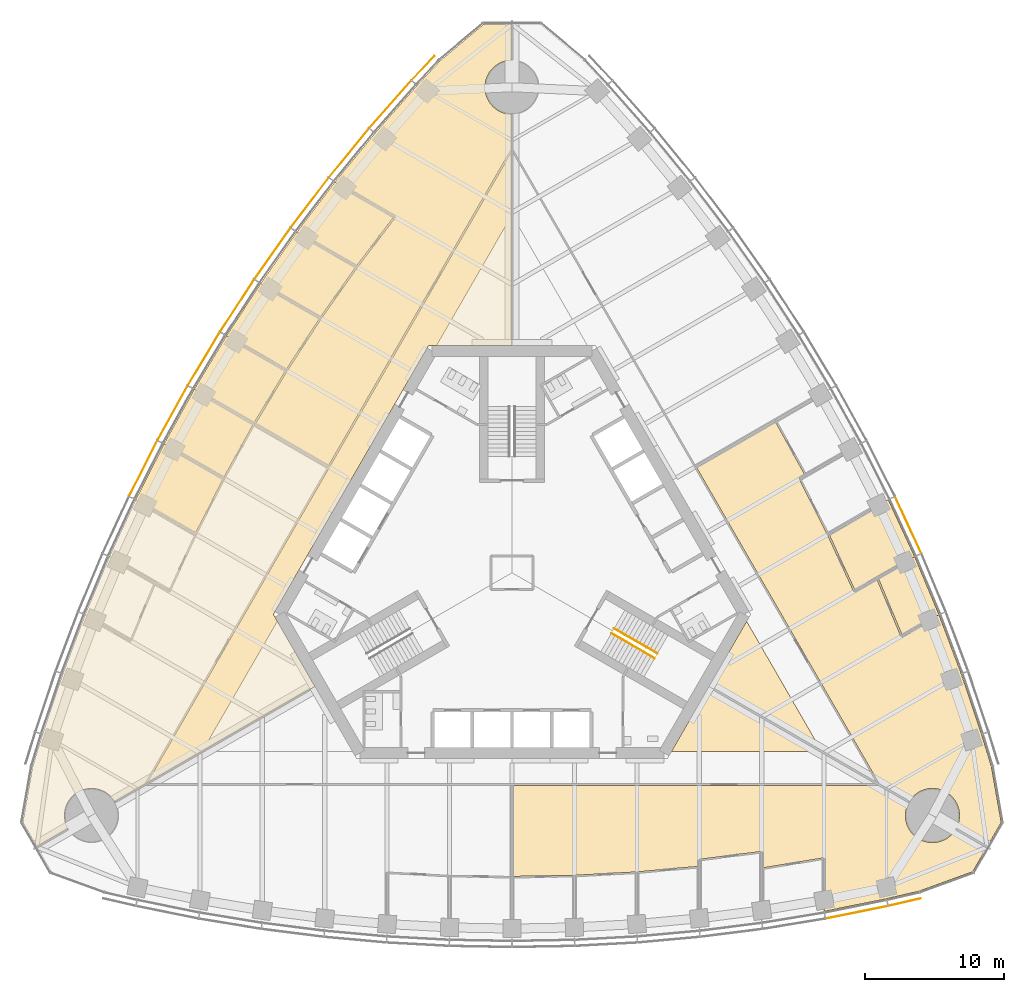
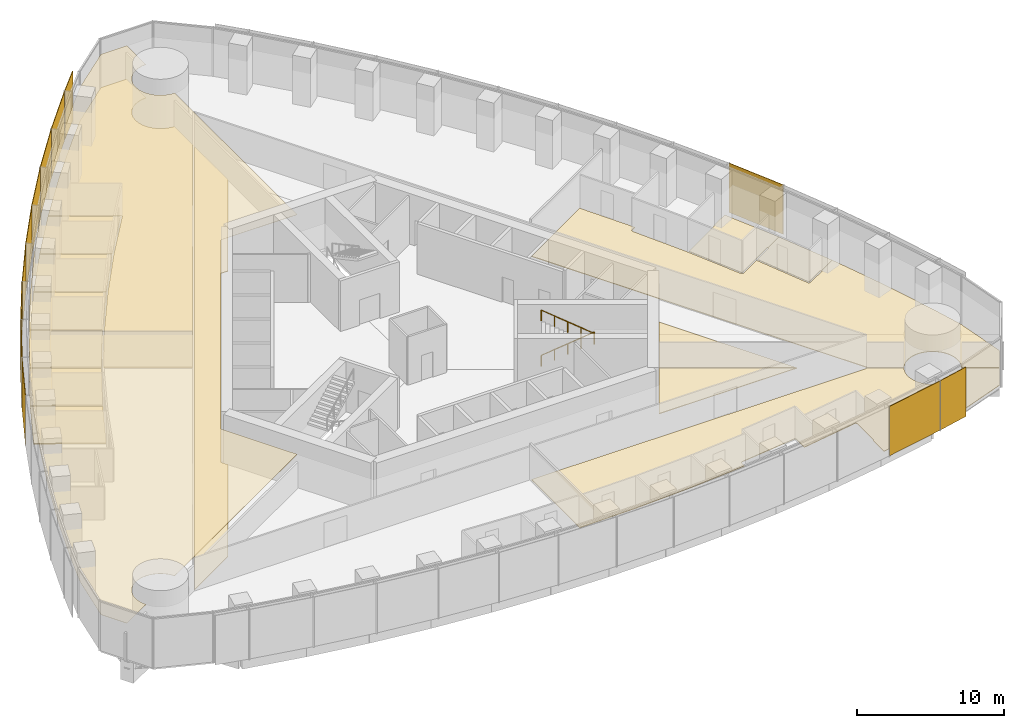
# One storey, part 16 of 19: 15 coverings, 12 shading devices, 2 railings.
"""IFC4 building model written with IfcOpenShell, lengths in metres."""

from ifc_helpers import new_model, si_unit, direction, frame, origin, origin_2d, place, context, subcontext, project, spatial, polyline, rectangle, circle, outline, extrude, material, layer, layer_set, type_object, element, save


model = new_model("IFC4")

# Units and contexts
model_context = context("Model", 3, precision=1e-05, world=origin(), true_north=direction((0.0, 1.0)))
body_context = subcontext(model_context, "Body", "Model", "MODEL_VIEW")
ifc_project = project(units=[si_unit("LENGTHUNIT", "METRE"), si_unit("AREAUNIT", "SQUARE_METRE"), si_unit("VOLUMEUNIT", "CUBIC_METRE"), si_unit("PLANEANGLEUNIT", "RADIAN"), si_unit("MASSUNIT", "GRAM", prefix="KILO")], contexts=[model_context])

# Site, building, storey
site_placement = place(None, origin())
site = spatial("IfcSite", under=ifc_project, at=site_placement, CompositionType="ELEMENT")
building_placement = place(site_placement, origin())
building = spatial("IfcBuilding", under=site, at=building_placement, Name="Trefoil Bronze Tower", CompositionType="ELEMENT")
storey_placement = place(building_placement, frame((0.0, 0.0, 132.5)))
storey = spatial("IfcBuildingStorey", under=building, at=storey_placement, Name="L30", CompositionType="ELEMENT", Elevation=132.5)

# Shading devices
ifc_material_1 = material(Name="Perforated bronze sheet", Category="bronze")
ifc_layer_1 = layer(ifc_material_1, 0.0400390625)
ifc_layer_set_1 = layer_set([ifc_layer_1], Name="Bronze solar screen panel")
shading_device_type = type_object("IfcShadingDeviceType", Name="Bronze solar screen panel", PredefinedType="SHUTTER", material=ifc_layer_set_1)
shading_device_1_placement = place(storey_placement, frame((24.85693359375, -24.480224609375, 0.050048828125), z_axis=(0.0, 0.0, 1.0), x_axis=(0.980155155547, 0.198231861853, 0.0)))
element("IfcShadingDevice", 1, at=shading_device_1_placement, inside=storey, type_object=shading_device_type, Name="Solar screen CW-A L30 F1 bay 13", PredefinedType="SHUTTER", context=body_context, shape_type="SweptSolid", body=[
    extrude(rectangle(XDim=4.56103515625, YDim=0.0400390625, at=origin_2d()), origin(), (0.0, 0.0, 1.0), 4.10009765625),
])
shading_device_2_placement = place(storey_placement, frame((28.30078125, -23.748779296875, 0.050048828125), z_axis=(0.0, 0.0, 1.0), x_axis=(0.97420444715, 0.225667222151, 0.0)))
element("IfcShadingDevice", 2, at=shading_device_2_placement, inside=storey, type_object=shading_device_type, Name="Solar screen CW-A L30 F1 bay 14", PredefinedType="SHUTTER", context=body_context, shape_type="SweptSolid", body=[
    extrude(rectangle(XDim=2.39013671875, YDim=0.0400390625, at=origin_2d()), origin(), (0.0, 0.0, 1.0), 4.10009765625),
])
shading_device_3_placement = place(storey_placement, frame((28.563720703125, 3.444580078125, 0.050048828125), z_axis=(0.0, 0.0, 1.0), x_axis=(-0.419932995871, 0.907555110712, 0.0)))
element("IfcShadingDevice", 3, at=shading_device_3_placement, inside=storey, type_object=shading_device_type, Name="Solar screen CW-A L30 F2 bay 5", PredefinedType="SHUTTER", context=body_context, shape_type="SweptSolid", body=[
    extrude(rectangle(XDim=4.48828125, YDim=0.0400390625, at=origin_2d()), origin(), (0.0, 0.0, 1.0), 4.10009765625),
])
shading_device_4_placement = place(storey_placement, frame((-6.416748046875, 36.383544921875, 0.050048828125), z_axis=(0.0, 0.0, 1.0), x_axis=(-0.682535770759, -0.730852188636, 0.0)))
element("IfcShadingDevice", 4, at=shading_device_4_placement, inside=storey, type_object=shading_device_type, Name="Solar screen CW-A L30 F3 bay 1", PredefinedType="SHUTTER", context=body_context, shape_type="SweptSolid", body=[
    extrude(rectangle(XDim=2.39013671875, YDim=0.0400390625, at=origin_2d()), origin(), (0.0, 0.0, 1.0), 4.10009765625),
])
shading_device_5_placement = place(storey_placement, frame((-8.77197265625, 33.766845703125, 0.050048828125), z_axis=(0.0, 0.0, 1.0), x_axis=(-0.661751405978, -0.749723333428, 0.0)))
element("IfcShadingDevice", 5, at=shading_device_5_placement, inside=storey, type_object=shading_device_type, Name="Solar screen CW-A L30 F3 bay 2", PredefinedType="SHUTTER", context=body_context, shape_type="SweptSolid", body=[
    extrude(rectangle(XDim=4.56103515625, YDim=0.0400390625, at=origin_2d()), origin(), (0.0, 0.0, 1.0), 4.10009765625),
])
shading_device_6_placement = place(storey_placement, frame((-11.7490234375, 30.26708984375, 0.050048828125), z_axis=(0.0, 0.0, 1.0), x_axis=(-0.633839916024, -0.773464259584, 0.0)))
element("IfcShadingDevice", 6, at=shading_device_6_placement, inside=storey, type_object=shading_device_type, Name="Solar screen CW-A L30 F3 bay 3", PredefinedType="SHUTTER", context=body_context, shape_type="SweptSolid", body=[
    extrude(rectangle(XDim=4.5302734375, YDim=0.0400390625, at=origin_2d()), origin(), (0.0, 0.0, 1.0), 4.10009765625),
])
shading_device_7_placement = place(storey_placement, frame((-14.579345703125, 26.6826171875, 0.050048828125), z_axis=(0.0, 0.0, 1.0), x_axis=(-0.605252319983, -0.796033685943, 0.0)))
element("IfcShadingDevice", 7, at=shading_device_7_placement, inside=storey, type_object=shading_device_type, Name="Solar screen CW-A L30 F3 bay 4", PredefinedType="SHUTTER", context=body_context, shape_type="SweptSolid", body=[
    extrude(rectangle(XDim=4.50634765625, YDim=0.0400390625, at=origin_2d()), origin(), (0.0, 0.0, 1.0), 4.10009765625),
])
shading_device_8_placement = place(storey_placement, frame((-17.264892578125, 23.014404296875, 0.050048828125), z_axis=(0.0, 0.0, 1.0), x_axis=(-0.575999283275, -0.817450197667, 0.0)))
element("IfcShadingDevice", 8, at=shading_device_8_placement, inside=storey, type_object=shading_device_type, Name="Solar screen CW-A L30 F3 bay 5", PredefinedType="SHUTTER", context=body_context, shape_type="SweptSolid", body=[
    extrude(rectangle(XDim=4.48828125, YDim=0.0400390625, at=origin_2d()), origin(), (0.0, 0.0, 1.0), 4.10009765625),
])
shading_device_9_placement = place(storey_placement, frame((-19.8076171875, 19.263916015625, 0.050048828125), z_axis=(0.0, 0.0, 1.0), x_axis=(-0.546088612237, -0.837727418427, 0.0)))
element("IfcShadingDevice", 9, at=shading_device_9_placement, inside=storey, type_object=shading_device_type, Name="Solar screen CW-A L30 F3 bay 6", PredefinedType="SHUTTER", context=body_context, shape_type="SweptSolid", body=[
    extrude(rectangle(XDim=4.4765625, YDim=0.0400390625, at=origin_2d()), origin(), (0.0, 0.0, 1.0), 4.10009765625),
])
for number, where, z_axis, x_axis, name in (
    (10, (-22.208740234375, 15.431396484375, 0.050048828125), (0.0, 0.0, 1.0), (-0.515525413486, -0.856874289526, 0.0), "Solar screen CW-A L30 F3 bay 7"),
    (11, (-24.468505859375, 11.517578125, 0.050048828125), (0.0, 0.0, 1.0), (-0.484312195836, -0.874895249138, 0.0), "Solar screen CW-A L30 F3 bay 8"),
):
    element("IfcShadingDevice", number, at=place(storey_placement, frame(where, z_axis=z_axis, x_axis=x_axis)), inside=storey, type_object=shading_device_type, Name=name, PredefinedType="SHUTTER", context=body_context, shape_type="SweptSolid", body=[
        extrude(rectangle(XDim=4.470703125, YDim=0.0400390625, at=origin_2d()), origin(), (0.0, 0.0, 1.0), 4.10009765625),
    ])
shading_device_10_placement = place(storey_placement, frame((-26.5869140625, 7.52197265625, 0.050048828125), z_axis=(0.0, 0.0, 1.0), x_axis=(-0.452448919686, -0.891790320128, 0.0)))
element("IfcShadingDevice", 12, at=shading_device_10_placement, inside=storey, type_object=shading_device_type, Name="Solar screen CW-A L30 F3 bay 9", PredefinedType="SHUTTER", context=body_context, shape_type="SweptSolid", body=[
    extrude(rectangle(XDim=4.4765625, YDim=0.0400390625, at=origin_2d()), origin(), (0.0, 0.0, 1.0), 4.10009765625),
])

# Railings
ifc_material_2 = material(Name="Steel handrail", Category="steel")
railing_type = type_object("IfcRailingType", Name="Handrail 900", PredefinedType="HANDRAIL", material=ifc_material_2)
railing_1_placement = place(storey_placement, frame((7.365966796875, -4.021728515625, 0.16162109375)))
element("IfcRailing", 13, at=railing_1_placement, inside=storey, type_object=railing_type, Name="Handrail ST1 flight 1 L30", PredefinedType="HANDRAIL", context=body_context, shape_type="SweptSolid", body=[
    extrude(circle(Radius=0.02392578125, at=origin_2d()), frame((0.0, 0.0, 0.8759765625), z_axis=(0.76250339821, -0.440245697338, 0.474101564745), x_axis=(0.500012057535, 0.866018442252, 0.0)), (0.0, 0.0, 1.0), 4.088623046875),
    extrude(circle(Radius=0.02099609375, at=origin_2d()), origin(), (0.0, 0.0, 1.0), 0.851806640625),
    extrude(circle(Radius=0.02099609375, at=origin_2d()), frame((0.779296875, -0.449951171875, 0.484619140625)), (0.0, 0.0, 1.0), 0.851806640625),
    extrude(circle(Radius=0.02099609375, at=origin_2d()), frame((1.558837890625, -0.89990234375, 0.96923828125)), (0.0, 0.0, 1.0), 0.851806640625),
    extrude(circle(Radius=0.02099609375, at=origin_2d()), frame((2.33837890625, -1.35009765625, 1.453857421875)), (0.0, 0.0, 1.0), 0.851806640625),
    extrude(circle(Radius=0.02099609375, at=origin_2d()), frame((3.11767578125, -1.800048828125, 1.9384765625)), (0.0, 0.0, 1.0), 0.851806640625),
])
railing_2_placement = place(storey_placement, frame((10.28369140625, -6.168212890625, 2.261474609375)))
element("IfcRailing", 14, at=railing_2_placement, inside=storey, type_object=railing_type, Name="Handrail ST1 flight 2 L30", PredefinedType="HANDRAIL", context=body_context, shape_type="SweptSolid", body=[
    extrude(circle(Radius=0.02392578125, at=origin_2d()), frame((0.0, 0.0, 0.8759765625), z_axis=(-0.76250339821, 0.440245697338, 0.474101564745), x_axis=(-0.500012057535, -0.866018442252, 0.0)), (0.0, 0.0, 1.0), 4.088623046875),
    extrude(circle(Radius=0.02099609375, at=origin_2d()), origin(), (0.0, 0.0, 1.0), 0.851806640625),
    extrude(circle(Radius=0.02099609375, at=origin_2d()), frame((-0.779296875, 0.449951171875, 0.484619140625)), (0.0, 0.0, 1.0), 0.851806640625),
    extrude(circle(Radius=0.02099609375, at=origin_2d()), frame((-1.558837890625, 0.89990234375, 0.96923828125)), (0.0, 0.0, 1.0), 0.851806640625),
    extrude(circle(Radius=0.02099609375, at=origin_2d()), frame((-2.33837890625, 1.35009765625, 1.453857421875)), (0.0, 0.0, 1.0), 0.851806640625),
    extrude(circle(Radius=0.02099609375, at=origin_2d()), frame((-3.11767578125, 1.800048828125, 1.9384765625)), (0.0, 0.0, 1.0), 0.851806640625),
])

# Coverings
ifc_material_3 = material(Name="Acoustic ceiling panels", Category="mineral fibre")
ifc_layer_2 = layer(ifc_material_3, 0.02001953125)
ifc_layer_set_2 = layer_set([ifc_layer_2], Name="Office ceiling 20")
covering_type_1 = type_object("IfcCoveringType", Name="Office ceiling 20", PredefinedType="CEILING", material=ifc_layer_set_2)
covering_1_placement = place(storey_placement, frame((0.0, 0.0, 2.89990234375)))
element("IfcCovering", 15, at=covering_1_placement, inside=storey, type_object=covering_type_1, Name="Ceiling L30 Open-plan office F3", PredefinedType="CEILING", context=body_context, shape_type="SweptSolid", body=[
    extrude(outline(polyline([(-33.847900390625, -11.634765625), (-32.385986328125, -7.28271484375), (-30.776611328125, -3.015625), (-29.022216796875, 1.16748046875), (-27.124755859375, 5.268310546875), (-25.085693359375, 9.287109375), (-22.906005859375, 13.224853515625), (-20.585693359375, 17.081298828125), (-18.124755859375, 20.856689453125), (-15.522216796875, 24.55029296875), (-12.776611328125, 28.1611328125), (-9.885986328125, 31.6884765625), (-6.847900390625, 35.130615234375), (-5.1962890625, 36.8994140625), (-2.052001953125, 39.53759765625), (-0.014892578125, 39.53759765625), (-0.013916015625, 36.94970703125), (-0.095703125, 36.94775390625), (-0.191162109375, 36.940673828125), (-0.2861328125, 36.928955078125), (-0.38037109375, 36.91259765625), (-0.473876953125, 36.8916015625), (-0.566162109375, 36.865966796875), (-0.656982421875, 36.8359375), (-0.74609375, 36.801513671875), (-0.833740234375, 36.7626953125), (-0.919189453125, 36.7197265625), (-1.00244140625, 36.672607421875), (-1.08349609375, 36.621337890625), (-1.16162109375, 36.56640625), (-1.237060546875, 36.50732421875), (-1.3095703125, 36.44482421875), (-1.37890625, 36.37890625), (-1.44482421875, 36.3095703125), (-1.50732421875, 36.237060546875), (-1.56640625, 36.16162109375), (-1.621337890625, 36.08349609375), (-1.672607421875, 36.00244140625), (-1.7197265625, 35.919189453125), (-1.7626953125, 35.833740234375), (-1.801513671875, 35.74609375), (-1.8359375, 35.656982421875), (-1.865966796875, 35.566162109375), (-1.8916015625, 35.473876953125), (-1.91259765625, 35.38037109375), (-1.928955078125, 35.2861328125), (-1.940673828125, 35.191162109375), (-1.94775390625, 35.095703125), (-1.949951171875, 35.0), (-1.94775390625, 34.904296875), (-1.940673828125, 34.808837890625), (-1.928955078125, 34.7138671875), (-1.91259765625, 34.61962890625), (-1.8916015625, 34.526123046875), (-1.865966796875, 34.433837890625), (-1.8359375, 34.343017578125), (-1.801513671875, 34.25390625), (-1.7626953125, 34.166259765625), (-1.7197265625, 34.080810546875), (-1.672607421875, 33.99755859375), (-1.621337890625, 33.91650390625), (-1.56640625, 33.83837890625), (-1.50732421875, 33.762939453125), (-1.44482421875, 33.6904296875), (-1.37890625, 33.62109375), (-1.3095703125, 33.55517578125), (-1.237060546875, 33.49267578125), (-1.16162109375, 33.43359375), (-1.08349609375, 33.378662109375), (-1.00244140625, 33.327392578125), (-0.919189453125, 33.2802734375), (-0.833740234375, 33.2373046875), (-0.74609375, 33.198486328125), (-0.656982421875, 33.1640625), (-0.566162109375, 33.134033203125), (-0.473876953125, 33.1083984375), (-0.38037109375, 33.08740234375), (-0.2861328125, 33.071044921875), (-0.191162109375, 33.059326171875), (-0.095703125, 33.05224609375), (-0.012451171875, 33.05029296875), (-0.006103515625, 16.39990234375), (-6.00439453125, 16.39990234375), (-17.205078125, -3.0), (-14.205810546875, -8.194580078125), (-28.628662109375, -16.514404296875), (-28.689453125, -16.41650390625), (-28.74462890625, -16.33837890625), (-28.803466796875, -16.262939453125), (-28.865966796875, -16.1904296875), (-28.931884765625, -16.12109375), (-29.001220703125, -16.05517578125), (-29.07373046875, -15.99267578125), (-29.1494140625, -15.93359375), (-29.2275390625, -15.878662109375), (-29.308349609375, -15.827392578125), (-29.3916015625, -15.7802734375), (-29.477294921875, -15.7373046875), (-29.564697265625, -15.698486328125), (-29.654052734375, -15.6640625), (-29.744873046875, -15.634033203125), (-29.837158203125, -15.6083984375), (-29.930419921875, -15.58740234375), (-30.02490234375, -15.571044921875), (-30.119873046875, -15.559326171875), (-30.215087890625, -15.55224609375), (-30.310791015625, -15.550048828125), (-30.406494140625, -15.55224609375), (-30.501953125, -15.559326171875), (-30.596923828125, -15.571044921875), (-30.69140625, -15.58740234375), (-30.78466796875, -15.6083984375), (-30.876953125, -15.634033203125), (-30.9677734375, -15.6640625), (-31.05712890625, -15.698486328125), (-31.14453125, -15.7373046875), (-31.22998046875, -15.7802734375), (-31.3134765625, -15.827392578125), (-31.394287109375, -15.878662109375), (-31.472412109375, -15.93359375), (-31.548095703125, -15.99267578125), (-31.620361328125, -16.05517578125), (-31.689697265625, -16.12109375), (-31.755615234375, -16.1904296875), (-31.818359375, -16.262939453125), (-31.877197265625, -16.33837890625), (-31.932373046875, -16.41650390625), (-31.9833984375, -16.49755859375), (-32.030517578125, -16.580810546875), (-32.07373046875, -16.666259765625), (-32.112548828125, -16.75390625), (-32.14697265625, -16.843017578125), (-32.177001953125, -16.933837890625), (-32.202392578125, -17.026123046875), (-32.223388671875, -17.11962890625), (-32.23974609375, -17.2138671875), (-32.25146484375, -17.308837890625), (-32.258544921875, -17.404296875), (-32.260986328125, -17.5), (-32.258544921875, -17.595703125), (-32.25146484375, -17.691162109375), (-32.23974609375, -17.7861328125), (-32.223388671875, -17.88037109375), (-32.202392578125, -17.973876953125), (-32.177001953125, -18.066162109375), (-32.14697265625, -18.156982421875), (-32.112548828125, -18.24609375), (-32.07373046875, -18.333740234375), (-32.030517578125, -18.419189453125), (-32.006103515625, -18.462646484375), (-34.247802734375, -19.755859375), (-35.2666015625, -17.99169921875), (-34.5537109375, -13.94970703125), (-33.847900390625, -11.634765625)])), origin(), (0.0, 0.0, 1.0), 0.02001953125),
])
ifc_material_4 = material(Name="Raised access floor panels", Category="steel")
ifc_layer_3 = layer(ifc_material_4, 0.050048828125)
ifc_layer_set_3 = layer_set([ifc_layer_3], Name="Raised access floor 150")
covering_type_2 = type_object("IfcCoveringType", Name="Raised access floor 150", PredefinedType="FLOORING", material=ifc_layer_set_3)
covering_2_placement = place(storey_placement, frame((0.0, 0.0, 0.10009765625)))
element("IfcCovering", 16, at=covering_2_placement, inside=storey, type_object=covering_type_2, Name="Raised floor L30 Open-plan office F1", PredefinedType="FLOORING", context=body_context, shape_type="SweptSolid", body=[
    extrude(outline(polyline([(22.5, -22.9013671875), (22.56005859375, -22.9013671875), (22.56005859375, -20.60595703125), (22.5, -20.60595703125), (22.490234375, -20.546630859375), (18.06005859375, -21.27490234375), (18.06005859375, -20.1455078125), (18.0, -20.1455078125), (17.992431640625, -20.0859375), (13.492431640625, -20.658203125), (13.5, -20.7177734375), (13.43994140625, -20.7177734375), (13.43994140625, -21.1630859375), (8.99560546875, -21.565185546875), (4.497802734375, -21.80859375), (0.074951171875, -21.88818359375), (0.074951171875, -15.320068359375), (26.398193359375, -15.320068359375), (26.398193359375, -15.254150390625), (28.616455078125, -16.535888671875), (28.591064453125, -16.580810546875), (28.548095703125, -16.666259765625), (28.50927734375, -16.75390625), (28.474853515625, -16.843017578125), (28.44482421875, -16.933837890625), (28.419189453125, -17.026123046875), (28.3984375, -17.11962890625), (28.382080078125, -17.2138671875), (28.370361328125, -17.308837890625), (28.36328125, -17.404296875), (28.36083984375, -17.5), (28.36328125, -17.595703125), (28.370361328125, -17.691162109375), (28.382080078125, -17.7861328125), (28.3984375, -17.88037109375), (28.419189453125, -17.973876953125), (28.44482421875, -18.066162109375), (28.474853515625, -18.156982421875), (28.50927734375, -18.24609375), (28.548095703125, -18.333740234375), (28.591064453125, -18.419189453125), (28.63818359375, -18.50244140625), (28.689453125, -18.58349609375), (28.74462890625, -18.66162109375), (28.803466796875, -18.737060546875), (28.865966796875, -18.8095703125), (28.931884765625, -18.87890625), (29.001220703125, -18.94482421875), (29.07373046875, -19.00732421875), (29.1494140625, -19.06640625), (29.2275390625, -19.121337890625), (29.308349609375, -19.172607421875), (29.3916015625, -19.2197265625), (29.477294921875, -19.2626953125), (29.564697265625, -19.301513671875), (29.654052734375, -19.3359375), (29.744873046875, -19.365966796875), (29.837158203125, -19.3916015625), (29.930419921875, -19.41259765625), (30.02490234375, -19.428955078125), (30.119873046875, -19.440673828125), (30.215087890625, -19.44775390625), (30.310791015625, -19.449951171875), (30.406494140625, -19.44775390625), (30.501953125, -19.440673828125), (30.596923828125, -19.428955078125), (30.69140625, -19.41259765625), (30.78466796875, -19.3916015625), (30.876953125, -19.365966796875), (30.9677734375, -19.3359375), (31.05712890625, -19.301513671875), (31.14453125, -19.2626953125), (31.22998046875, -19.2197265625), (31.3134765625, -19.172607421875), (31.394287109375, -19.121337890625), (31.472412109375, -19.06640625), (31.548095703125, -19.00732421875), (31.620361328125, -18.94482421875), (31.689697265625, -18.87890625), (31.755615234375, -18.8095703125), (31.818359375, -18.737060546875), (31.877197265625, -18.66162109375), (31.932373046875, -18.58349609375), (31.992431640625, -18.48681640625), (34.233154296875, -19.781494140625), (33.21435546875, -21.5458984375), (29.357666015625, -22.94970703125), (27.0, -23.495849609375), (22.5, -24.406005859375), (22.5, -22.9013671875)])), origin(), (0.0, 0.0, 1.0), 0.0498046875),
])
covering_3_placement = place(storey_placement, frame((0.0, 0.0, 0.10009765625)))
element("IfcCovering", 17, at=covering_3_placement, inside=storey, type_object=covering_type_2, Name="Raised floor L30 Open-plan office F1", PredefinedType="FLOORING", context=body_context, shape_type="SweptSolid", body=[
    extrude(outline(polyline([(11.4892578125, -12.89990234375), (14.19970703125, -8.205322265625), (22.32421875, -12.89990234375), (11.4892578125, -12.89990234375)])), origin(), (0.0, 0.0, 1.0), 0.0498046875),
])
covering_4_placement = place(storey_placement, frame((0.0, 0.0, 0.10009765625)))
element("IfcCovering", 18, at=covering_4_placement, inside=storey, type_object=covering_type_2, Name="Raised floor L30 Meeting room F2", PredefinedType="FLOORING", context=body_context, shape_type="SweptSolid", body=[
    extrude(outline(polyline([(27.124755859375, 5.268310546875), (29.022216796875, 1.16748046875), (27.73291015625, 0.423095703125), (27.702880859375, 0.47509765625), (24.718994140625, -1.24755859375), (22.872314453125, 2.74365234375), (25.869873046875, 4.474365234375), (25.83984375, 4.5263671875), (27.124755859375, 5.268310546875)])), origin(), (0.0, 0.0, 1.0), 0.0498046875),
])
covering_5_placement = place(storey_placement, frame((0.0, 0.0, 0.10009765625)))
element("IfcCovering", 19, at=covering_5_placement, inside=storey, type_object=covering_type_2, Name="Raised floor L30 Print and store room F2", PredefinedType="FLOORING", context=body_context, shape_type="SweptSolid", body=[
    extrude(outline(polyline([(29.022216796875, 1.16748046875), (30.776611328125, -3.015625), (29.4814453125, -3.763427734375), (29.451416015625, -3.71142578125), (28.12109375, -4.479736328125), (26.413330078125, -0.407958984375), (27.762939453125, 0.371337890625), (27.73291015625, 0.423095703125), (29.022216796875, 1.16748046875)])), origin(), (0.0, 0.0, 1.0), 0.0498046875),
])
covering_6_placement = place(storey_placement, frame((0.0, 0.0, 0.10009765625)))
element("IfcCovering", 20, at=covering_6_placement, inside=storey, type_object=covering_type_2, Name="Raised floor L30 Open-plan office F2", PredefinedType="FLOORING", context=body_context, shape_type="SweptSolid", body=[
    extrude(outline(polyline([(14.205810546875, -8.194580078125), (16.91650390625, -3.5), (22.333740234375, -12.88330078125), (14.205810546875, -8.194580078125)])), origin(), (0.0, 0.0, 1.0), 0.0498046875),
])
covering_7_placement = place(storey_placement, frame((0.0, 0.0, 0.10009765625)))
element("IfcCovering", 21, at=covering_7_placement, inside=storey, type_object=covering_type_2, Name="Raised floor L30 Open-plan office F2", PredefinedType="FLOORING", context=body_context, shape_type="SweptSolid", body=[
    extrude(outline(polyline([(26.40966796875, -15.234375), (26.466552734375, -15.201416015625), (13.304931640625, 7.594970703125), (18.993408203125, 10.879150390625), (21.107666015625, 7.059814453125), (20.7255859375, 6.839111328125), (20.755615234375, 6.787109375), (20.7021484375, 6.760009765625), (22.74072265625, 2.7421875), (24.6376953125, -1.357666015625), (24.692138671875, -1.33251953125), (24.72216796875, -1.384521484375), (26.30859375, -0.468505859375), (28.03662109375, -4.5888671875), (28.092041015625, -4.565673828125), (28.1220703125, -4.61767578125), (29.511474609375, -3.8154296875), (29.4814453125, -3.763427734375), (30.776611328125, -3.015625), (32.385986328125, -7.28271484375), (33.847900390625, -11.634765625), (34.5537109375, -13.94970703125), (35.2666015625, -17.99169921875), (34.247802734375, -19.755859375), (32.006103515625, -18.462646484375), (32.030517578125, -18.419189453125), (32.07373046875, -18.333740234375), (32.112548828125, -18.24609375), (32.14697265625, -18.156982421875), (32.177001953125, -18.066162109375), (32.202392578125, -17.973876953125), (32.223388671875, -17.88037109375), (32.23974609375, -17.7861328125), (32.25146484375, -17.691162109375), (32.258544921875, -17.595703125), (32.260986328125, -17.5), (32.258544921875, -17.404296875), (32.25146484375, -17.308837890625), (32.23974609375, -17.2138671875), (32.223388671875, -17.11962890625), (32.202392578125, -17.026123046875), (32.177001953125, -16.933837890625), (32.14697265625, -16.843017578125), (32.112548828125, -16.75390625), (32.07373046875, -16.666259765625), (32.030517578125, -16.580810546875), (31.9833984375, -16.49755859375), (31.932373046875, -16.41650390625), (31.877197265625, -16.33837890625), (31.818359375, -16.262939453125), (31.755615234375, -16.1904296875), (31.689697265625, -16.12109375), (31.620361328125, -16.05517578125), (31.548095703125, -15.99267578125), (31.472412109375, -15.93359375), (31.394287109375, -15.878662109375), (31.3134765625, -15.827392578125), (31.22998046875, -15.7802734375), (31.14453125, -15.7373046875), (31.05712890625, -15.698486328125), (30.9677734375, -15.6640625), (30.876953125, -15.634033203125), (30.78466796875, -15.6083984375), (30.69140625, -15.58740234375), (30.596923828125, -15.571044921875), (30.501953125, -15.559326171875), (30.406494140625, -15.55224609375), (30.310791015625, -15.550048828125), (30.215087890625, -15.55224609375), (30.119873046875, -15.559326171875), (30.02490234375, -15.571044921875), (29.930419921875, -15.58740234375), (29.837158203125, -15.6083984375), (29.744873046875, -15.634033203125), (29.654052734375, -15.6640625), (29.564697265625, -15.698486328125), (29.477294921875, -15.7373046875), (29.3916015625, -15.7802734375), (29.308349609375, -15.827392578125), (29.2275390625, -15.878662109375), (29.1494140625, -15.93359375), (29.07373046875, -15.99267578125), (29.001220703125, -16.05517578125), (28.931884765625, -16.12109375), (28.865966796875, -16.1904296875), (28.803466796875, -16.262939453125), (28.74462890625, -16.33837890625), (28.689453125, -16.41650390625), (28.628662109375, -16.514404296875), (26.40966796875, -15.234375)])), origin(), (0.0, 0.0, 1.0), 0.0498046875),
])
covering_8_placement = place(storey_placement, frame((0.0, 0.0, 0.10009765625)))
element("IfcCovering", 22, at=covering_8_placement, inside=storey, type_object=covering_type_2, Name="Raised floor L30 Office F3", PredefinedType="FLOORING", context=body_context, shape_type="SweptSolid", body=[
    extrude(outline(polyline([(-15.522216796875, 24.55029296875), (-12.776611328125, 28.1611328125), (-11.4814453125, 27.41357421875), (-11.511474609375, 27.361572265625), (-8.53564453125, 25.643310546875), (-11.2080078125, 22.128662109375), (-14.202880859375, 23.85791015625), (-14.23291015625, 23.805908203125), (-15.522216796875, 24.55029296875)])), origin(), (0.0, 0.0, 1.0), 0.0498046875),
])
covering_9_placement = place(storey_placement, frame((0.0, 0.0, 0.10009765625)))
element("IfcCovering", 23, at=covering_9_placement, inside=storey, type_object=covering_type_2, Name="Raised floor L30 Office F3", PredefinedType="FLOORING", context=body_context, shape_type="SweptSolid", body=[
    extrude(outline(polyline([(-15.522216796875, 24.55029296875), (-14.23291015625, 23.805908203125), (-14.262939453125, 23.75390625), (-11.279052734375, 22.031005859375), (-13.812255859375, 18.43603515625), (-16.809814453125, 20.166748046875), (-16.83984375, 20.11474609375), (-18.124755859375, 20.856689453125), (-15.522216796875, 24.55029296875)])), origin(), (0.0, 0.0, 1.0), 0.0498046875),
])
covering_10_placement = place(storey_placement, frame((0.0, 0.0, 0.10009765625)))
element("IfcCovering", 24, at=covering_10_placement, inside=storey, type_object=covering_type_2, Name="Raised floor L30 Office F3", PredefinedType="FLOORING", context=body_context, shape_type="SweptSolid", body=[
    extrude(outline(polyline([(-18.124755859375, 20.856689453125), (-16.83984375, 20.11474609375), (-16.869873046875, 20.062744140625), (-13.879638671875, 18.33642578125), (-16.27490234375, 14.661865234375), (-19.273193359375, 16.392822265625), (-19.30322265625, 16.3408203125), (-20.585693359375, 17.081298828125), (-18.124755859375, 20.856689453125)])), origin(), (0.0, 0.0, 1.0), 0.0498046875),
])
covering_11_placement = place(storey_placement, frame((0.0, 0.0, 0.10009765625)))
element("IfcCovering", 25, at=covering_11_placement, inside=storey, type_object=covering_type_2, Name="Raised floor L30 Office F3", PredefinedType="FLOORING", context=body_context, shape_type="SweptSolid", body=[
    extrude(outline(polyline([(-22.906005859375, 13.224853515625), (-20.585693359375, 17.081298828125), (-19.30322265625, 16.3408203125), (-19.333251953125, 16.2890625), (-16.338623046875, 14.56005859375), (-18.58935546875, 10.819091796875), (-21.5869140625, 12.5498046875), (-21.62451171875, 12.48486328125), (-22.906005859375, 13.224853515625)])), origin(), (0.0, 0.0, 1.0), 0.0498046875),
])
covering_12_placement = place(storey_placement, frame((0.0, 0.0, 0.10009765625)))
element("IfcCovering", 26, at=covering_12_placement, inside=storey, type_object=covering_type_2, Name="Raised floor L30 Office F3", PredefinedType="FLOORING", context=body_context, shape_type="SweptSolid", body=[
    extrude(outline(polyline([(-25.085693359375, 9.287109375), (-22.906005859375, 13.224853515625), (-21.62451171875, 12.48486328125), (-21.661865234375, 12.419921875), (-18.664306640625, 10.689208984375), (-20.778564453125, 6.86962890625), (-23.773193359375, 8.5986328125), (-23.80322265625, 8.546630859375), (-25.085693359375, 9.287109375)])), origin(), (0.0, 0.0, 1.0), 0.0498046875),
])
covering_13_placement = place(storey_placement, frame((0.0, 0.0, 0.10009765625)))
element("IfcCovering", 27, at=covering_13_placement, inside=storey, type_object=covering_type_2, Name="Raised floor L30 Meeting room F3", PredefinedType="FLOORING", context=body_context, shape_type="SweptSolid", body=[
    extrude(outline(polyline([(-27.124755859375, 5.268310546875), (-25.085693359375, 9.287109375), (-23.80322265625, 8.546630859375), (-23.833251953125, 8.49462890625), (-20.8349609375, 6.763671875), (-22.819580078125, 2.851806640625), (-25.809814453125, 4.578369140625), (-25.83984375, 4.5263671875), (-27.124755859375, 5.268310546875)])), origin(), (0.0, 0.0, 1.0), 0.0498046875),
])
covering_14_placement = place(storey_placement, frame((0.0, 0.0, 0.10009765625)))
element("IfcCovering", 28, at=covering_14_placement, inside=storey, type_object=covering_type_2, Name="Raised floor L30 Corridor F3", PredefinedType="FLOORING", context=body_context, shape_type="SweptSolid", body=[
    extrude(outline(polyline([(-0.011474609375, 30.38037109375), (-0.009765625, 25.783203125), (-5.427001953125, 16.39990234375), (-6.00439453125, 16.39990234375), (-17.205078125, -3.0), (-16.91650390625, -3.5), (-22.333740234375, -12.88330078125), (-26.31591796875, -15.180419921875), (-0.011474609375, 30.38037109375)])), origin(), (0.0, 0.0, 1.0), 0.0498046875),
])
covering_15_placement = place(storey_placement, frame((0.0, 0.0, 0.10009765625)))
element("IfcCovering", 29, at=covering_15_placement, inside=storey, type_object=covering_type_2, Name="Raised floor L30 Open-plan office F3", PredefinedType="FLOORING", context=body_context, shape_type="SweptSolid", body=[
    extrude(outline(polyline([(-0.011474609375, 30.488525390625), (-0.068359375, 30.521484375), (-13.22998046875, 7.72509765625), (-18.4853515625, 10.759033203125), (-16.204833984375, 14.549560546875), (-13.7451171875, 18.322998046875), (-11.143798828125, 22.014892578125), (-8.398681640625, 25.625), (-8.446533203125, 25.6611328125), (-8.41650390625, 25.713134765625), (-11.451416015625, 27.46533203125), (-11.4814453125, 27.41357421875), (-12.776611328125, 28.1611328125), (-9.885986328125, 31.6884765625), (-6.847900390625, 35.130615234375), (-5.1962890625, 36.8994140625), (-2.052001953125, 39.53759765625), (-0.014892578125, 39.53759765625), (-0.013916015625, 36.94970703125), (-0.095703125, 36.94775390625), (-0.191162109375, 36.940673828125), (-0.2861328125, 36.928955078125), (-0.38037109375, 36.91259765625), (-0.473876953125, 36.8916015625), (-0.566162109375, 36.865966796875), (-0.656982421875, 36.8359375), (-0.74609375, 36.801513671875), (-0.833740234375, 36.7626953125), (-0.919189453125, 36.7197265625), (-1.00244140625, 36.672607421875), (-1.08349609375, 36.621337890625), (-1.16162109375, 36.56640625), (-1.237060546875, 36.50732421875), (-1.3095703125, 36.44482421875), (-1.37890625, 36.37890625), (-1.44482421875, 36.3095703125), (-1.50732421875, 36.237060546875), (-1.56640625, 36.16162109375), (-1.621337890625, 36.08349609375), (-1.672607421875, 36.00244140625), (-1.7197265625, 35.919189453125), (-1.7626953125, 35.833740234375), (-1.801513671875, 35.74609375), (-1.8359375, 35.656982421875), (-1.865966796875, 35.566162109375), (-1.8916015625, 35.473876953125), (-1.91259765625, 35.38037109375), (-1.928955078125, 35.2861328125), (-1.940673828125, 35.191162109375), (-1.94775390625, 35.095703125), (-1.949951171875, 35.0), (-1.94775390625, 34.904296875), (-1.940673828125, 34.808837890625), (-1.928955078125, 34.7138671875), (-1.91259765625, 34.61962890625), (-1.8916015625, 34.526123046875), (-1.865966796875, 34.433837890625), (-1.8359375, 34.343017578125), (-1.801513671875, 34.25390625), (-1.7626953125, 34.166259765625), (-1.7197265625, 34.080810546875), (-1.672607421875, 33.99755859375), (-1.621337890625, 33.91650390625), (-1.56640625, 33.83837890625), (-1.50732421875, 33.762939453125), (-1.44482421875, 33.6904296875), (-1.37890625, 33.62109375), (-1.3095703125, 33.55517578125), (-1.237060546875, 33.49267578125), (-1.16162109375, 33.43359375), (-1.08349609375, 33.378662109375), (-1.00244140625, 33.327392578125), (-0.919189453125, 33.2802734375), (-0.833740234375, 33.2373046875), (-0.74609375, 33.198486328125), (-0.656982421875, 33.1640625), (-0.566162109375, 33.134033203125), (-0.473876953125, 33.1083984375), (-0.38037109375, 33.08740234375), (-0.2861328125, 33.071044921875), (-0.191162109375, 33.059326171875), (-0.095703125, 33.05224609375), (-0.012451171875, 33.05029296875), (-0.011474609375, 30.488525390625)])), origin(), (0.0, 0.0, 1.0), 0.0498046875),
])

save(model, "model.ifc")
